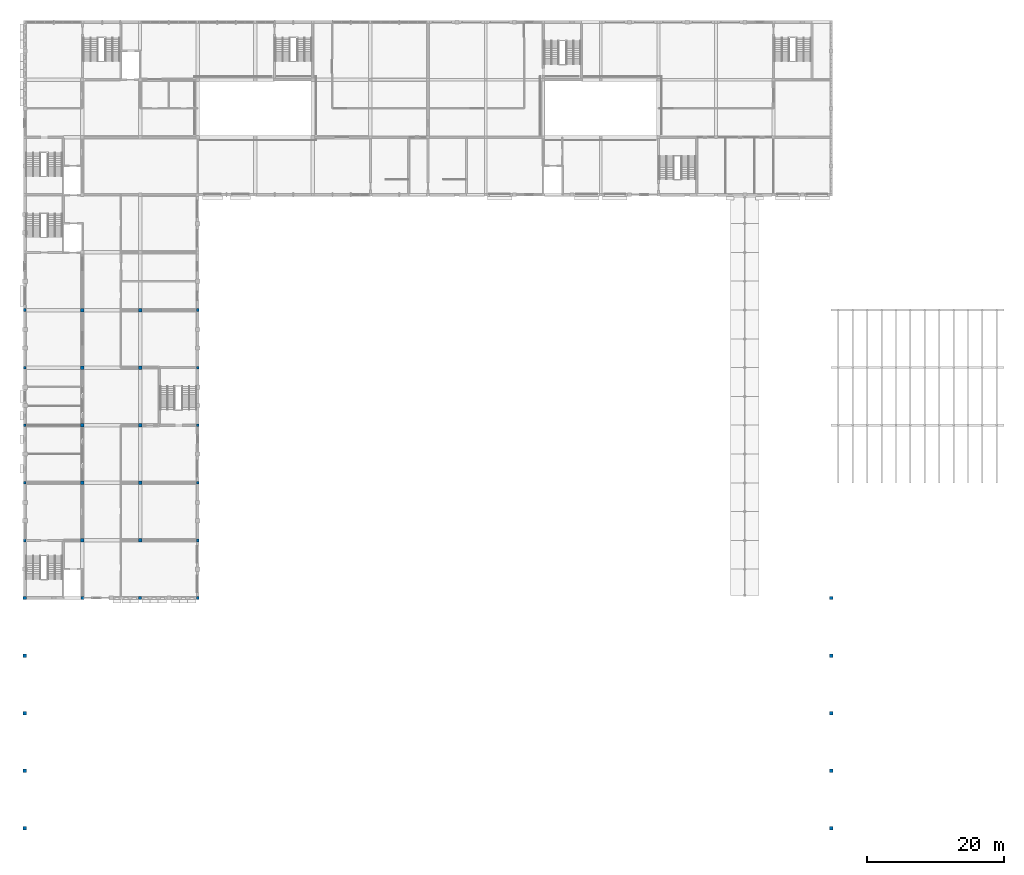
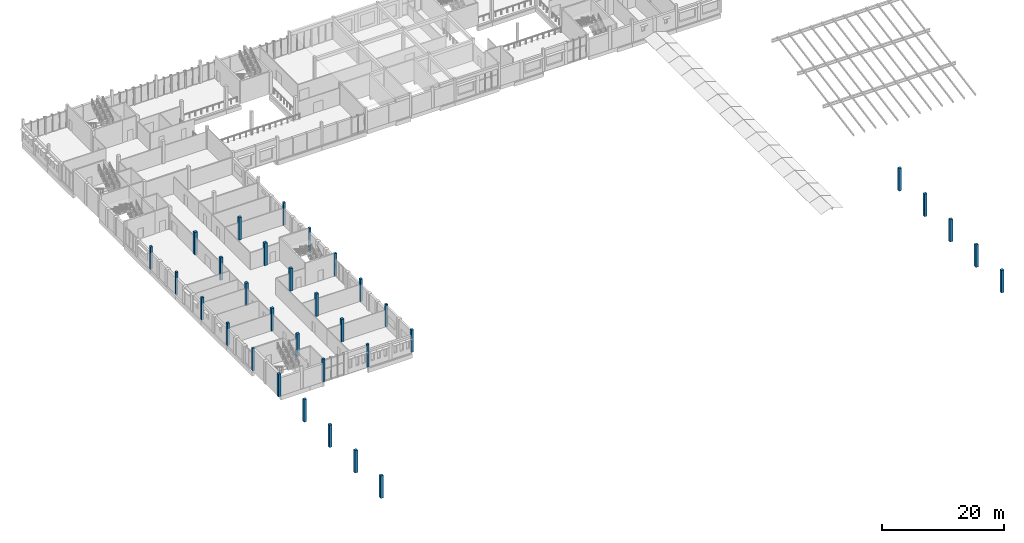
# One storey, part 1 of 38: 33 columns.
"""IFC4 building model written with IfcOpenShell, lengths in metres."""

from ifc_helpers import new_model, si_unit, direction, frame, origin, origin_2d, place, context, subcontext, project, spatial, rectangle, extrude, material, material_profile, profile_set, type_object, element, save


model = new_model("IFC4")

# Units and contexts
model_context = context("Model", 3, precision=1e-05, world=origin(), true_north=direction((0.0, 1.0)))
body_context = subcontext(model_context, "Body", "Model", "MODEL_VIEW")
ifc_project = project(units=[si_unit("LENGTHUNIT", "METRE"), si_unit("AREAUNIT", "SQUARE_METRE"), si_unit("VOLUMEUNIT", "CUBIC_METRE"), si_unit("PLANEANGLEUNIT", "RADIAN"), si_unit("MASSUNIT", "GRAM", prefix="KILO")], contexts=[model_context])

# Site, building, storey
site_placement = place(None, origin())
site = spatial("IfcSite", under=ifc_project, at=site_placement, CompositionType="ELEMENT")
building_placement = place(site_placement, origin())
building = spatial("IfcBuilding", under=site, at=building_placement, Name="Fescue Hill Polytechnic", CompositionType="ELEMENT")
storey_placement = place(building_placement, frame((0.0, 0.0, 18.0)))
storey = spatial("IfcBuildingStorey", under=building, at=storey_placement, Name="L04", CompositionType="ELEMENT", Elevation=18.0)

# Columns
ifc_material = material(Name="Concrete 40 MPa", Category="concrete")
ifc_material_profile_1 = material_profile(ifc_material, rectangle(XDim=0.39990234375, YDim=0.39990234375, at=origin_2d()), Name="RC 400x400")
ifc_profile_set_1 = profile_set([ifc_material_profile_1], Name="Concrete 40 MPa")
column_type_1 = type_object("IfcColumnType", Name="Column RC 400x400", PredefinedType="COLUMN", material=ifc_profile_set_1)
for number, where, z_axis, x_axis, name in (
    (1, (0.0, 58.800048828125, 0.0), (0.0, 0.0, 1.0), (1.0, 0.0, 0.0), "COL-L04-V4-001"),
    (2, (0.0, 67.199951171875, 0.0), (0.0, 0.0, 1.0), (1.0, 0.0, 0.0), "COL-L04-V4-002"),
    (3, (0.0, 75.60009765625, 0.0), (0.0, 0.0, 1.0), (1.0, 0.0, 0.0), "COL-L04-V4-003"),
    (4, (0.0, 84.0, 0.0), (0.0, 0.0, 1.0), (1.0, 0.0, 0.0), "COL-L04-V4-004"),
    (5, (0.0, 92.39990234375, 0.0), (0.0, 0.0, 1.0), (1.0, 0.0, 0.0), "COL-L04-V4-005"),
    (6, (8.39990234375, 50.39990234375, 0.0), (0.0, 0.0, 1.0), (1.0, 0.0, 0.0), "COL-L04-V4-008"),
    (7, (16.800048828125, 50.39990234375, 0.0), (0.0, 0.0, 1.0), (1.0, 0.0, 0.0), "COL-L04-V4-016"),
    (8, (25.199951171875, 50.39990234375, 0.0), (0.0, 0.0, 1.0), (1.0, 0.0, 0.0), "COL-L04-V4-024"),
    (9, (25.199951171875, 58.800048828125, 0.0), (0.0, 0.0, 1.0), (1.0, 0.0, 0.0), "COL-L04-V4-025"),
    (10, (25.199951171875, 67.199951171875, 0.0), (0.0, 0.0, 1.0), (1.0, 0.0, 0.0), "COL-L04-V4-026"),
    (11, (25.199951171875, 75.60009765625, 0.0), (0.0, 0.0, 1.0), (1.0, 0.0, 0.0), "COL-L04-V4-027"),
    (12, (25.199951171875, 84.0, 0.0), (0.0, 0.0, 1.0), (1.0, 0.0, 0.0), "COL-L04-V4-028"),
    (13, (25.199951171875, 92.39990234375, 0.0), (0.0, 0.0, 1.0), (1.0, 0.0, 0.0), "COL-L04-V4-029"),
):
    element("IfcColumn", number, at=place(storey_placement, frame(where, z_axis=z_axis, x_axis=x_axis)), inside=storey, type_object=column_type_1, Name=name, PredefinedType="COLUMN", context=body_context, shape_type="SweptSolid", body=[
        extrude(rectangle(XDim=0.39990234375, YDim=0.39990234375, at=origin_2d()), origin(), (0.0, 0.0, 1.0), 4.5),
    ])
ifc_material_profile_2 = material_profile(ifc_material, rectangle(XDim=0.5, YDim=0.5, at=origin_2d()), Name="RC 500x500")
ifc_profile_set_2 = profile_set([ifc_material_profile_2], Name="Concrete 40 MPa")
column_type_2 = type_object("IfcColumnType", Name="Column RC 500x500", PredefinedType="COLUMN", material=ifc_profile_set_2)
for number, where, z_axis, x_axis, name in (
    (14, (0.0, 16.800048828125, 0.0), (0.0, 0.0, 1.0), (1.0, 0.0, 0.0), "COL-L04-V1-001"),
    (15, (0.0, 25.199951171875, 0.0), (0.0, 0.0, 1.0), (1.0, 0.0, 0.0), "COL-L04-V1-002"),
    (16, (0.0, 33.60009765625, 0.0), (0.0, 0.0, 1.0), (1.0, 0.0, 0.0), "COL-L04-V1-003"),
    (17, (0.0, 42.0, 0.0), (0.0, 0.0, 1.0), (1.0, 0.0, 0.0), "COL-L04-V1-004"),
    (18, (0.0, 50.39990234375, 0.0), (0.0, 0.0, 1.0), (1.0, 0.0, 0.0), "COL-L04-V1-005"),
    (19, (117.60009765625, 16.800048828125, 0.0), (0.0, 0.0, 1.0), (1.0, 0.0, 0.0), "COL-L04-V1-006"),
    (20, (117.60009765625, 25.199951171875, 0.0), (0.0, 0.0, 1.0), (1.0, 0.0, 0.0), "COL-L04-V1-007"),
    (21, (117.60009765625, 33.60009765625, 0.0), (0.0, 0.0, 1.0), (1.0, 0.0, 0.0), "COL-L04-V1-008"),
    (22, (117.60009765625, 42.0, 0.0), (0.0, 0.0, 1.0), (1.0, 0.0, 0.0), "COL-L04-V1-009"),
    (23, (117.60009765625, 50.39990234375, 0.0), (0.0, 0.0, 1.0), (1.0, 0.0, 0.0), "COL-L04-V1-010"),
    (24, (8.39990234375, 58.800048828125, 0.0), (0.0, 0.0, 1.0), (1.0, 0.0, 0.0), "COL-L04-V4-009"),
    (25, (8.39990234375, 67.199951171875, 0.0), (0.0, 0.0, 1.0), (1.0, 0.0, 0.0), "COL-L04-V4-010"),
    (26, (8.39990234375, 75.60009765625, 0.0), (0.0, 0.0, 1.0), (1.0, 0.0, 0.0), "COL-L04-V4-011"),
    (27, (8.39990234375, 84.0, 0.0), (0.0, 0.0, 1.0), (1.0, 0.0, 0.0), "COL-L04-V4-012"),
    (28, (8.39990234375, 92.39990234375, 0.0), (0.0, 0.0, 1.0), (1.0, 0.0, 0.0), "COL-L04-V4-013"),
    (29, (16.800048828125, 58.800048828125, 0.0), (0.0, 0.0, 1.0), (1.0, 0.0, 0.0), "COL-L04-V4-017"),
    (30, (16.800048828125, 67.199951171875, 0.0), (0.0, 0.0, 1.0), (1.0, 0.0, 0.0), "COL-L04-V4-018"),
    (31, (16.800048828125, 75.60009765625, 0.0), (0.0, 0.0, 1.0), (1.0, 0.0, 0.0), "COL-L04-V4-019"),
    (32, (16.800048828125, 84.0, 0.0), (0.0, 0.0, 1.0), (1.0, 0.0, 0.0), "COL-L04-V4-020"),
    (33, (16.800048828125, 92.39990234375, 0.0), (0.0, 0.0, 1.0), (1.0, 0.0, 0.0), "COL-L04-V4-021"),
):
    element("IfcColumn", number, at=place(storey_placement, frame(where, z_axis=z_axis, x_axis=x_axis)), inside=storey, type_object=column_type_2, Name=name, PredefinedType="COLUMN", context=body_context, shape_type="SweptSolid", body=[
        extrude(rectangle(XDim=0.5, YDim=0.5, at=origin_2d()), origin(), (0.0, 0.0, 1.0), 4.5),
    ])

save(model, "model.ifc")
